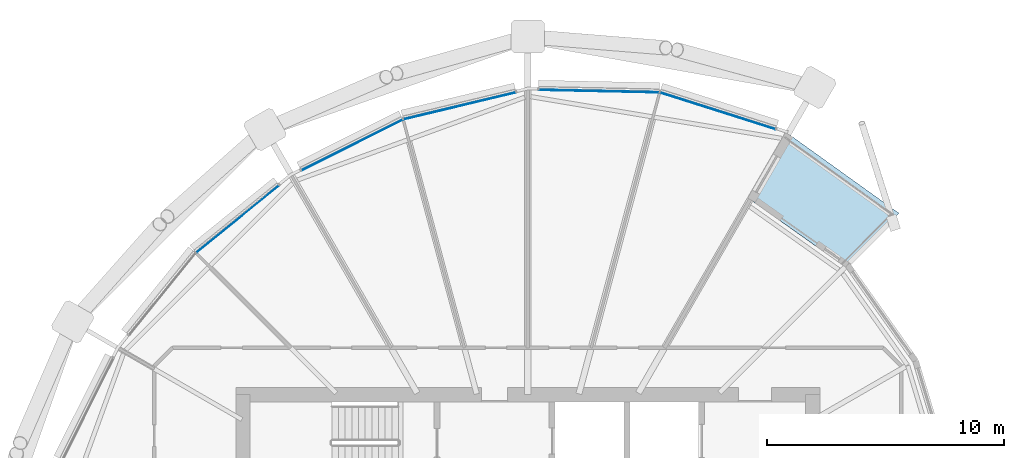
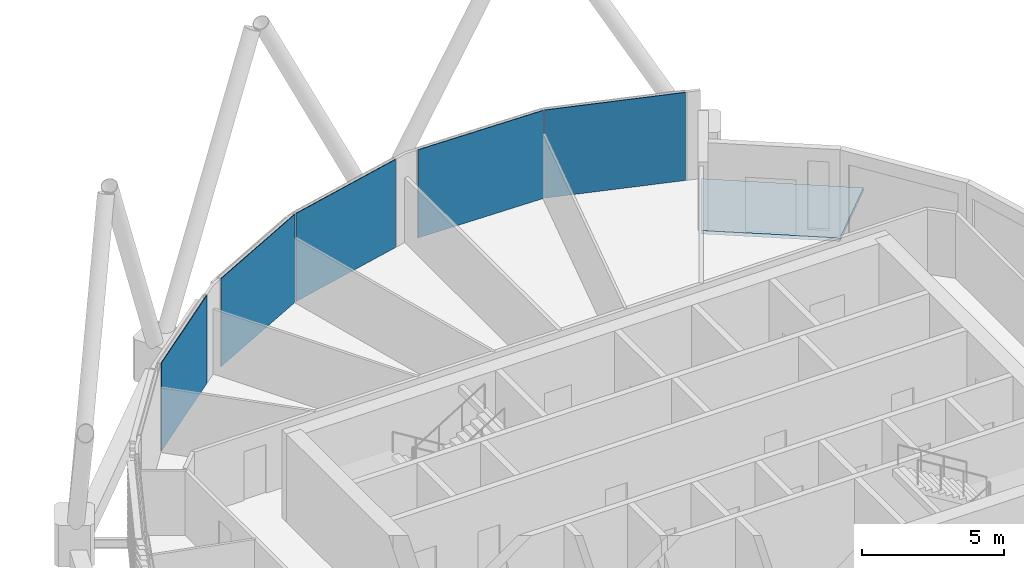
# One storey, part 20 of 37: 5 plates, 1 slab, 1 element without a shape of its own.
"""IFC4 building model written with IfcOpenShell, lengths in metres."""

from ifc_helpers import new_model, si_unit, direction, frame, origin, origin_2d, place, context, subcontext, project, spatial, polyline, rectangle, outline, extrude, material, layer, layer_set, type_object, element, aggregate, save


model = new_model("IFC4")

# Units and contexts
model_context = context("Model", 3, precision=1e-05, world=origin(), true_north=direction((0.0, 1.0)))
body_context = subcontext(model_context, "Body", "Model", "MODEL_VIEW")
ifc_project = project(units=[si_unit("LENGTHUNIT", "METRE"), si_unit("AREAUNIT", "SQUARE_METRE"), si_unit("VOLUMEUNIT", "CUBIC_METRE"), si_unit("PLANEANGLEUNIT", "RADIAN"), si_unit("MASSUNIT", "GRAM", prefix="KILO")], contexts=[model_context])

# Site, building, storey
site_placement = place(None, origin())
site = spatial("IfcSite", under=ifc_project, at=site_placement, CompositionType="ELEMENT")
building_placement = place(site_placement, origin())
building = spatial("IfcBuilding", under=site, at=building_placement, Name="Rimbun Link Towers", CompositionType="ELEMENT")
storey_placement = place(building_placement, frame((0.0, 0.0, 170.300048828125)))
storey = spatial("IfcBuildingStorey", under=building, at=storey_placement, Name="L41", CompositionType="ELEMENT", Elevation=170.300048828125)

# Curtain wall, plates
ifc_material_1 = material(Name="Aluminium 6063-T6 and low-iron glass", Category="aluminium")
curtain_wall_type = type_object("IfcCurtainWallType", Name="CW1-Z3 unitised vision wall (zone 3)", PredefinedType="NOTDEFINED", material=ifc_material_1)
curtain_wall_placement = place(storey_placement, origin())
curtain_wall = element("IfcCurtainWall", 1, at=curtain_wall_placement, inside=storey, type_object=curtain_wall_type, Name="CW1 L41 T2", PredefinedType="NOTDEFINED")
ifc_material_2 = material(Name="Low-iron glass, laminated low-e unit", Category="glass")
ifc_layer_1 = layer(ifc_material_2, 0.028076171875)
ifc_layer_set_1 = layer_set([ifc_layer_1], Name="CW1 panel Low-iron glass 28")
plate_type = type_object("IfcPlateType", Name="CW1 panel Low-iron glass 28", PredefinedType="CURTAIN_PANEL", material=ifc_layer_set_1)
plate_1_placement = place(storey_placement, frame((39.750732421875, 19.951904296875, 0.0), z_axis=(0.0, 0.0, 1.0), x_axis=(0.952968988731, -0.303067824946, 0.0)))
plate_1 = element("IfcPlate", 2, at=plate_1_placement, type_object=plate_type, Name="CW1 panel", PredefinedType="CURTAIN_PANEL", context=body_context, shape_type="SweptSolid", body=[
    extrude(rectangle(XDim=5.092529296875, YDim=0.028076171875, at=origin_2d()), origin(), (0.0, 0.0, 1.0), 3.800048828125),
])
plate_2_placement = place(storey_placement, frame((34.750732421875, 20.783935546875, 0.0), z_axis=(0.0, 0.0, 1.0), x_axis=(0.999778319348, -0.021054979477, 0.0)))
plate_2 = element("IfcPlate", 3, at=plate_2_placement, type_object=plate_type, Name="CW1 panel", PredefinedType="CURTAIN_PANEL", context=body_context, shape_type="SweptSolid", body=[
    extrude(rectangle(XDim=5.06201171875, YDim=0.028076171875, at=origin_2d()), origin(), (0.0, 0.0, 1.0), 3.800048828125),
])
plate_3_placement = place(storey_placement, frame((28.880615234375, 20.161376953125, 0.0), z_axis=(0.0, 0.0, 1.0), x_axis=(0.972573786264, 0.232594562001, 0.0)))
plate_3 = element("IfcPlate", 4, at=plate_3_placement, type_object=plate_type, Name="CW1 panel", PredefinedType="CURTAIN_PANEL", context=body_context, shape_type="SweptSolid", body=[
    extrude(rectangle(XDim=4.85400390625, YDim=0.028076171875, at=origin_2d()), origin(), (0.0, 0.0, 1.0), 3.800048828125),
])
plate_4_placement = place(storey_placement, frame((24.350830078125, 18.512939453125, 0.0), z_axis=(0.0, 0.0, 1.0), x_axis=(0.893645619235, 0.44877333613, 0.0)))
plate_4 = element("IfcPlate", 5, at=plate_4_placement, type_object=plate_type, Name="CW1 panel", PredefinedType="CURTAIN_PANEL", context=body_context, shape_type="SweptSolid", body=[
    extrude(rectangle(XDim=4.764892578125, YDim=0.028076171875, at=origin_2d()), origin(), (0.0, 0.0, 1.0), 3.800048828125),
])
plate_5_placement = place(storey_placement, frame((19.535400390625, 15.398681640625, 0.0), z_axis=(0.0, 0.0, 1.0), x_axis=(0.777277720811, 0.629157646962, 0.0)))
plate_5 = element("IfcPlate", 6, at=plate_5_placement, type_object=plate_type, Name="CW1 panel", PredefinedType="CURTAIN_PANEL", context=body_context, shape_type="SweptSolid", body=[
    extrude(rectangle(XDim=4.48486328125, YDim=0.028076171875, at=origin_2d()), origin(), (0.0, 0.0, 1.0), 3.800048828125),
])
aggregate(curtain_wall, [plate_1, plate_2, plate_3, plate_4, plate_5])

# Slab
ifc_material_3 = material(Name="Concrete C35/45", Category="concrete")
ifc_layer_2 = layer(ifc_material_3, 0.14990234375)
ifc_layer_set_2 = layer_set([ifc_layer_2], Name="TERRACE SLAB 150")
slab_type = type_object("IfcSlabType", Name="TERRACE SLAB 150", PredefinedType="FLOOR", material=ifc_layer_set_2)
slab_placement = place(storey_placement, frame((0.0, 0.0, -0.150146484375)))
element("IfcSlab", 7, at=slab_placement, inside=storey, type_object=slab_type, Name="Terrace slab T2 L41", PredefinedType="FLOOR", context=body_context, shape_type="SweptSolid", body=[
    extrude(outline(polyline([(45.12744140625, 13.37744140625), (41.1162109375, 16.22265625), (42.71630859375, 18.993896484375), (47.39013671875, 15.64013671875), (45.12744140625, 13.37744140625)])), origin(), (0.0, 0.0, 1.0), 0.150146484375),
])

save(model, "model.ifc")
